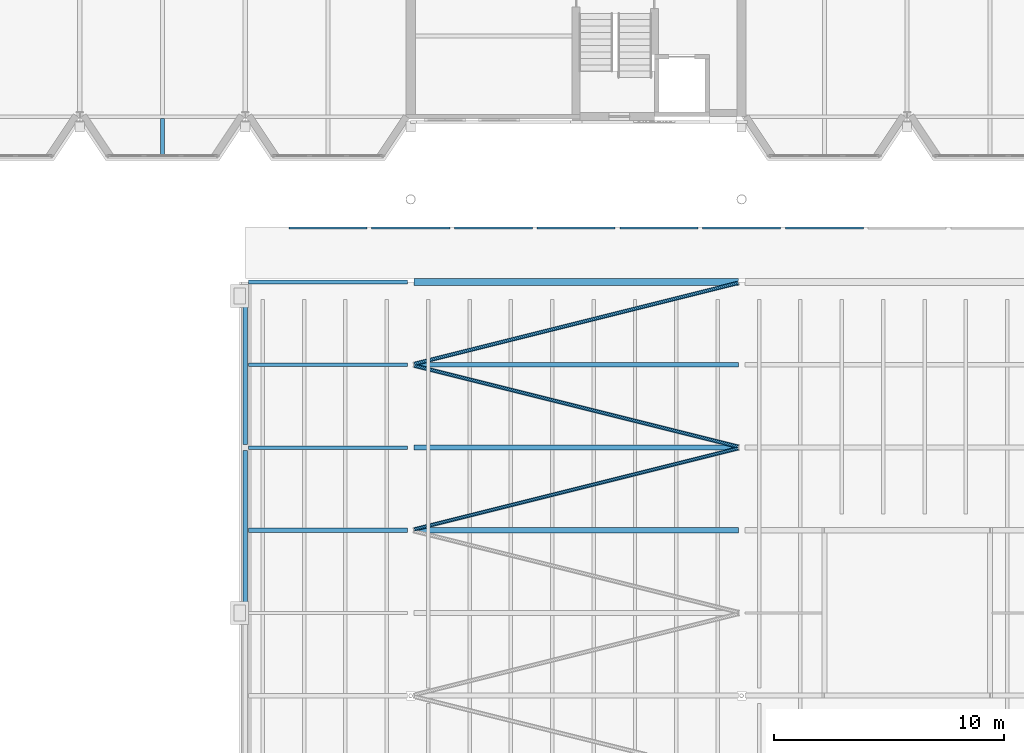
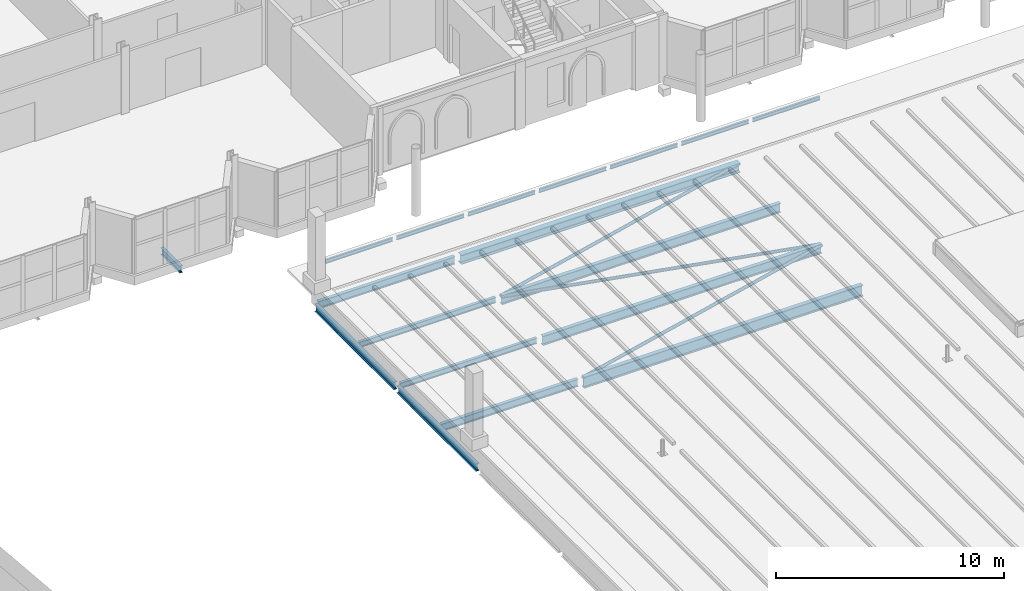
# One storey, part 34 of 120: 18 beams, 3 members.
"""IFC4 building model written with IfcOpenShell, lengths in metres."""

from ifc_helpers import new_model, si_unit, direction, frame, origin, origin_2d, place, context, subcontext, project, spatial, hollow_circle, i_section, extrude, material, material_profile, profile_set, type_object, element, save


model = new_model("IFC4")

# Units and contexts
model_context = context("Model", 3, precision=1e-05, world=origin(), true_north=direction((0.0, 1.0)))
body_context = subcontext(model_context, "Body", "Model", "MODEL_VIEW")
ifc_project = project(units=[si_unit("LENGTHUNIT", "METRE"), si_unit("AREAUNIT", "SQUARE_METRE"), si_unit("VOLUMEUNIT", "CUBIC_METRE"), si_unit("PLANEANGLEUNIT", "RADIAN"), si_unit("MASSUNIT", "GRAM", prefix="KILO")], contexts=[model_context])

# Site, building, storey
site_placement = place(None, origin())
site = spatial("IfcSite", under=ifc_project, at=site_placement, CompositionType="ELEMENT")
building_placement = place(site_placement, origin())
building = spatial("IfcBuilding", under=site, at=building_placement, Name="Kupolbacken Congress Centre", CompositionType="ELEMENT")
storey_placement = place(building_placement, frame((0.0, 0.0, 21.60009765625)))
storey = spatial("IfcBuildingStorey", under=building, at=storey_placement, Name="L06", CompositionType="ELEMENT", Elevation=21.60009765625)

# Beams
ifc_material_1 = material(Name="Steel S355", Category="steel")
ifc_material_profile_1 = material_profile(ifc_material_1, i_section(OverallWidth=0.10009765625, OverallDepth=0.199951171875, WebThickness=0.005615234375, FlangeThickness=0.008544921875, FilletRadius=0.011962890625, at=origin_2d()), Name="IPE 200")
ifc_profile_set_1 = profile_set([ifc_material_profile_1], Name="Steel S355")
beam_type_1 = type_object("IfcBeamType", Name="B01 beam IPE 200", PredefinedType="BEAM", material=ifc_profile_set_1)
beam_1_placement = place(storey_placement, frame((88.300048828125, 117.550048828125, 0.06982421875), z_axis=(1.0, 0.0, 0.0), x_axis=(0.0, 1.0, 0.0)))
element("IfcBeam", 1, at=beam_1_placement, inside=storey, type_object=beam_type_1, Name="S/edge/HE/N/01", PredefinedType="BEAM", context=body_context, shape_type="SweptSolid", body=[
    extrude(i_section(OverallWidth=0.10009765625, OverallDepth=0.199951171875, WebThickness=0.005615234375, FlangeThickness=0.008544921875, FilletRadius=0.011962890625, at=origin_2d()), origin(), (0.0, 0.0, 1.0), 3.39990234375),
])
beam_2_placement = place(storey_placement, frame((91.89990234375, 117.550048828125, 0.06982421875), z_axis=(1.0, 0.0, 0.0), x_axis=(0.0, 1.0, 0.0)))
element("IfcBeam", 2, at=beam_2_placement, inside=storey, type_object=beam_type_1, Name="S/edge/HE/N/02", PredefinedType="BEAM", context=body_context, shape_type="SweptSolid", body=[
    extrude(i_section(OverallWidth=0.10009765625, OverallDepth=0.199951171875, WebThickness=0.005615234375, FlangeThickness=0.008544921875, FilletRadius=0.011962890625, at=origin_2d()), origin(), (0.0, 0.0, 1.0), 3.400146484375),
])
for number, where, z_axis, x_axis, name in (
    (3, (95.5, 117.550048828125, 0.06982421875), (1.0, 0.0, 0.0), (0.0, 1.0, 0.0), "S/edge/HE/N/03"),
    (4, (99.10009765625, 117.550048828125, 0.06982421875), (1.0, 0.0, 0.0), (0.0, 1.0, 0.0), "S/edge/HE/N/04"),
):
    element("IfcBeam", number, at=place(storey_placement, frame(where, z_axis=z_axis, x_axis=x_axis)), inside=storey, type_object=beam_type_1, Name=name, PredefinedType="BEAM", context=body_context, shape_type="SweptSolid", body=[
        extrude(i_section(OverallWidth=0.10009765625, OverallDepth=0.199951171875, WebThickness=0.005615234375, FlangeThickness=0.008544921875, FilletRadius=0.011962890625, at=origin_2d()), origin(), (0.0, 0.0, 1.0), 3.39990234375),
    ])
beam_3_placement = place(storey_placement, frame((102.699951171875, 117.550048828125, 0.06982421875), z_axis=(1.0, 0.0, 0.0), x_axis=(0.0, 1.0, 0.0)))
element("IfcBeam", 5, at=beam_3_placement, inside=storey, type_object=beam_type_1, Name="S/edge/HE/N/05", PredefinedType="BEAM", context=body_context, shape_type="SweptSolid", body=[
    extrude(i_section(OverallWidth=0.10009765625, OverallDepth=0.199951171875, WebThickness=0.005615234375, FlangeThickness=0.008544921875, FilletRadius=0.011962890625, at=origin_2d()), origin(), (0.0, 0.0, 1.0), 3.400146484375),
])
beam_4_placement = place(storey_placement, frame((106.300048828125, 117.550048828125, 0.06982421875), z_axis=(1.0, 0.0, 0.0), x_axis=(0.0, 1.0, 0.0)))
element("IfcBeam", 6, at=beam_4_placement, inside=storey, type_object=beam_type_1, Name="S/edge/HE/N/06", PredefinedType="BEAM", context=body_context, shape_type="SweptSolid", body=[
    extrude(i_section(OverallWidth=0.10009765625, OverallDepth=0.199951171875, WebThickness=0.005615234375, FlangeThickness=0.008544921875, FilletRadius=0.011962890625, at=origin_2d()), origin(), (0.0, 0.0, 1.0), 3.39990234375),
])
beam_5_placement = place(storey_placement, frame((109.89990234375, 117.550048828125, 0.06982421875), z_axis=(1.0, 0.0, 0.0), x_axis=(0.0, 1.0, 0.0)))
element("IfcBeam", 7, at=beam_5_placement, inside=storey, type_object=beam_type_1, Name="S/edge/HE/N/07", PredefinedType="BEAM", context=body_context, shape_type="SweptSolid", body=[
    extrude(i_section(OverallWidth=0.10009765625, OverallDepth=0.199951171875, WebThickness=0.005615234375, FlangeThickness=0.008544921875, FilletRadius=0.011962890625, at=origin_2d()), origin(), (0.0, 0.0, 1.0), 3.400146484375),
])
ifc_material_2 = material(Name="Steel S355", Category="steel")
ifc_material_profile_2 = material_profile(ifc_material_2, i_section(OverallWidth=0.14990234375, OverallDepth=0.300048828125, WebThickness=0.007080078125, FlangeThickness=0.0107421875, FilletRadius=0.014892578125, at=origin_2d()), Name="IPE 300")
ifc_profile_set_2 = profile_set([ifc_material_profile_2], Name="Steel S355")
beam_type_2 = type_object("IfcBeamType", Name="B04 beam IPE 300", PredefinedType="BEAM", material=ifc_profile_set_2)
for number, where, z_axis, x_axis, name in (
    (8, (86.5400390625, 108.0, -0.150146484375), (1.0, 0.0, 0.0), (0.0, 1.0, 0.0), "HR/P18-00"),
    (9, (86.5400390625, 111.60009765625, -0.150146484375), (1.0, 0.0, 0.0), (0.0, 1.0, 0.0), "HR/P19-00"),
):
    element("IfcBeam", number, at=place(storey_placement, frame(where, z_axis=z_axis, x_axis=x_axis)), inside=storey, type_object=beam_type_2, Name=name, PredefinedType="BEAM", context=body_context, shape_type="SweptSolid", body=[
        extrude(i_section(OverallWidth=0.14990234375, OverallDepth=0.300048828125, WebThickness=0.007080078125, FlangeThickness=0.0107421875, FilletRadius=0.014892578125, at=origin_2d()), origin(), (0.0, 0.0, 1.0), 6.9150390625),
    ])
ifc_material_3 = material(Name="Steel S355", Category="steel")
ifc_material_profile_3 = material_profile(ifc_material_3, i_section(OverallWidth=0.169921875, OverallDepth=0.360107421875, WebThickness=0.008056640625, FlangeThickness=0.0126953125, FilletRadius=0.01806640625, at=origin_2d()), Name="IPE 360")
ifc_profile_set_3 = profile_set([ifc_material_profile_3], Name="Steel S355")
beam_type_3 = type_object("IfcBeamType", Name="B06 beam IPE 360", PredefinedType="BEAM", material=ifc_profile_set_3)
beam_6_placement = place(storey_placement, frame((82.800048828125, 122.324951171875, -0.320068359375), z_axis=(0.0, -1.0, 0.0), x_axis=(1.0, 0.0, 0.0)))
element("IfcBeam", 10, at=beam_6_placement, inside=storey, type_object=beam_type_3, Name="S/floor/T/L06/C079", PredefinedType="BEAM", context=body_context, shape_type="SweptSolid", body=[
    extrude(i_section(OverallWidth=0.169921875, OverallDepth=0.360107421875, WebThickness=0.008056640625, FlangeThickness=0.0126953125, FilletRadius=0.01806640625, at=origin_2d()), origin(), (0.0, 0.0, 1.0), 1.6650390625),
])
ifc_material_4 = material(Name="Steel S355", Category="steel")
ifc_material_profile_4 = material_profile(ifc_material_4, i_section(OverallWidth=0.179931640625, OverallDepth=0.39990234375, WebThickness=0.008544921875, FlangeThickness=0.013427734375, FilletRadius=0.02099609375, at=origin_2d()), Name="IPE 400")
ifc_profile_set_4 = profile_set([ifc_material_profile_4], Name="Steel S355")
beam_type_4 = type_object("IfcBeamType", Name="B07 beam IPE 400", PredefinedType="BEAM", material=ifc_profile_set_4)
for number, where, z_axis, x_axis, name in (
    (11, (86.39990234375, 100.929931640625, -0.2001953125), (0.0, 1.0, 0.0), (-1.0, 0.0, 0.0), "HR/GW09"),
    (12, (86.39990234375, 108.1298828125, -0.2001953125), (0.0, 1.0, 0.0), (-1.0, 0.0, 0.0), "HR/GW10"),
):
    element("IfcBeam", number, at=place(storey_placement, frame(where, z_axis=z_axis, x_axis=x_axis)), inside=storey, type_object=beam_type_4, Name=name, PredefinedType="BEAM", context=body_context, shape_type="SweptSolid", body=[
        extrude(i_section(OverallWidth=0.179931640625, OverallDepth=0.39990234375, WebThickness=0.008544921875, FlangeThickness=0.013427734375, FilletRadius=0.02099609375, at=origin_2d()), origin(), (0.0, 0.0, 1.0), 6.940185546875),
    ])
for number, where, z_axis, x_axis, name in (
    (13, (86.5400390625, 104.39990234375, -0.2001953125), (1.0, 0.0, 0.0), (0.0, 1.0, 0.0), "HR/X17-00"),
    (14, (86.5400390625, 115.199951171875, -0.2001953125), (1.0, 0.0, 0.0), (0.0, 1.0, 0.0), "HR/E20-00"),
):
    element("IfcBeam", number, at=place(storey_placement, frame(where, z_axis=z_axis, x_axis=x_axis)), inside=storey, type_object=beam_type_4, Name=name, PredefinedType="BEAM", context=body_context, shape_type="SweptSolid", body=[
        extrude(i_section(OverallWidth=0.179931640625, OverallDepth=0.39990234375, WebThickness=0.008544921875, FlangeThickness=0.013427734375, FilletRadius=0.02099609375, at=origin_2d()), origin(), (0.0, 0.0, 1.0), 6.9150390625),
    ])
ifc_material_5 = material(Name="Steel S355", Category="steel")
ifc_material_profile_5 = material_profile(ifc_material_5, i_section(OverallWidth=0.199951171875, OverallDepth=0.5, WebThickness=0.01025390625, FlangeThickness=0.01611328125, FilletRadius=0.02099609375, at=origin_2d()), Name="IPE 500")
ifc_profile_set_5 = profile_set([ifc_material_profile_5], Name="Steel S355")
beam_type_5 = type_object("IfcBeamType", Name="B09 beam IPE 500", PredefinedType="BEAM", material=ifc_profile_set_5)
for number, where, z_axis, x_axis, name in (
    (15, (93.7451171875, 108.0, -0.25), (1.0, 0.0, 0.0), (0.0, 1.0, 0.0), "HR/P18-01"),
    (16, (93.7451171875, 111.60009765625, -0.25), (1.0, 0.0, 0.0), (0.0, 1.0, 0.0), "HR/P19-01"),
):
    element("IfcBeam", number, at=place(storey_placement, frame(where, z_axis=z_axis, x_axis=x_axis)), inside=storey, type_object=beam_type_5, Name=name, PredefinedType="BEAM", context=body_context, shape_type="SweptSolid", body=[
        extrude(i_section(OverallWidth=0.199951171875, OverallDepth=0.5, WebThickness=0.01025390625, FlangeThickness=0.01611328125, FilletRadius=0.02099609375, at=origin_2d()), origin(), (0.0, 0.0, 1.0), 14.10986328125),
    ])
ifc_material_6 = material(Name="Steel S355", Category="steel")
ifc_material_profile_6 = material_profile(ifc_material_6, i_section(OverallWidth=0.219970703125, OverallDepth=0.60009765625, WebThickness=0.011962890625, FlangeThickness=0.01904296875, FilletRadius=0.02392578125, at=origin_2d()), Name="IPE 600")
ifc_profile_set_6 = profile_set([ifc_material_profile_6], Name="Steel S355")
beam_type_6 = type_object("IfcBeamType", Name="B11 beam IPE 600", PredefinedType="BEAM", material=ifc_profile_set_6)
beam_7_placement = place(storey_placement, frame((93.7451171875, 104.39990234375, -0.300048828125), z_axis=(1.0, 0.0, 0.0), x_axis=(0.0, 1.0, 0.0)))
element("IfcBeam", 17, at=beam_7_placement, inside=storey, type_object=beam_type_6, Name="HR/X17-01", PredefinedType="BEAM", context=body_context, shape_type="SweptSolid", body=[
    extrude(i_section(OverallWidth=0.219970703125, OverallDepth=0.60009765625, WebThickness=0.011962890625, FlangeThickness=0.01904296875, FilletRadius=0.02392578125, at=origin_2d()), origin(), (0.0, 0.0, 1.0), 14.10986328125),
])
ifc_material_7 = material(Name="Steel S355", Category="steel")
ifc_material_profile_7 = material_profile(ifc_material_7, i_section(OverallWidth=0.300048828125, OverallDepth=0.5, WebThickness=0.014404296875, FlangeThickness=0.028076171875, FilletRadius=0.027099609375, at=origin_2d()), Name="HEB 500")
ifc_profile_set_7 = profile_set([ifc_material_profile_7], Name="Steel S355")
beam_type_7 = type_object("IfcBeamType", Name="B20 beam HEB 500", PredefinedType="BEAM", material=ifc_profile_set_7)
beam_8_placement = place(storey_placement, frame((93.7451171875, 115.199951171875, -0.25), z_axis=(1.0, 0.0, 0.0), x_axis=(0.0, 1.0, 0.0)))
element("IfcBeam", 18, at=beam_8_placement, inside=storey, type_object=beam_type_7, Name="HR/E20-01", PredefinedType="BEAM", context=body_context, shape_type="SweptSolid", body=[
    extrude(i_section(OverallWidth=0.300048828125, OverallDepth=0.5, WebThickness=0.014404296875, FlangeThickness=0.028076171875, FilletRadius=0.027099609375, at=origin_2d()), origin(), (0.0, 0.0, 1.0), 14.10986328125),
])

# Members
ifc_material_8 = material(Name="Steel S355", Category="steel")
ifc_material_profile_8 = material_profile(ifc_material_8, hollow_circle(Radius=0.084228515625, WallThickness=0.008056640625, at=origin_2d()), Name="CHS 168.3 x 8")
ifc_profile_set_8 = profile_set([ifc_material_profile_8], Name="Steel S355")
member_type = type_object("IfcMemberType", Name="M21 brace CHS 168.3 x 8", PredefinedType="BRACE", material=ifc_profile_set_8)
for number, where, z_axis, x_axis, name in (
    (19, (93.74072265625, 104.43505859375, -0.084228515625), (0.970140526498, 0.24254351949, 0.0), (-0.24254351949, 0.970140526498, 0.0), "HR/RB/01-17"),
    (20, (107.859375, 108.03515625, -0.084228515625), (-0.970140526498, 0.24254351949, 0.0), (-0.24254351949, -0.970140526498, 0.0), "HR/RB/01-18"),
    (21, (93.74072265625, 111.63525390625, -0.084228515625), (0.970144473737, 0.242527730535, 0.0), (-0.242527730535, 0.970144473737, 0.0), "HR/RB/01-19"),
):
    element("IfcMember", number, at=place(storey_placement, frame(where, z_axis=z_axis, x_axis=x_axis)), inside=storey, type_object=member_type, Name=name, PredefinedType="BRACE", context=body_context, shape_type="SweptSolid", body=[
        extrude(hollow_circle(Radius=0.084228515625, WallThickness=0.008056640625, at=origin_2d()), origin(), (0.0, 0.0, 1.0), 14.55322265625),
    ])

save(model, "model.ifc")
